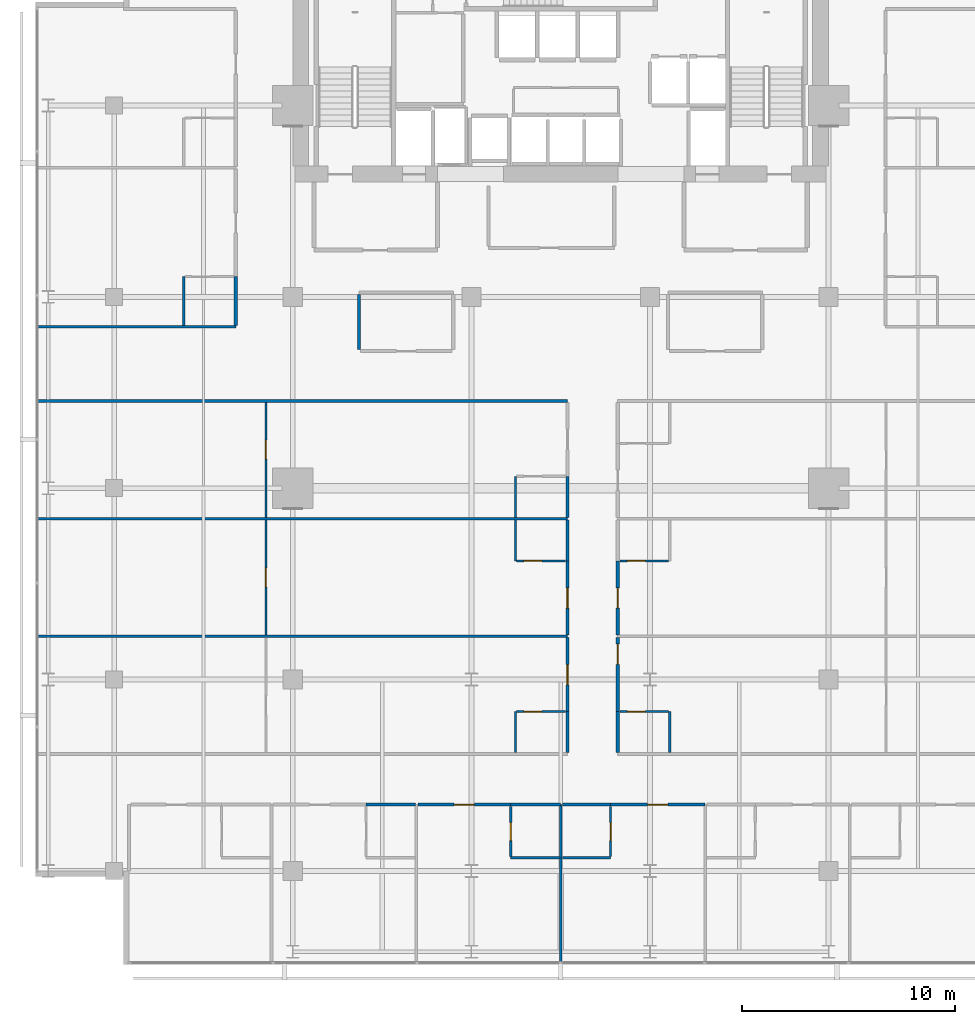
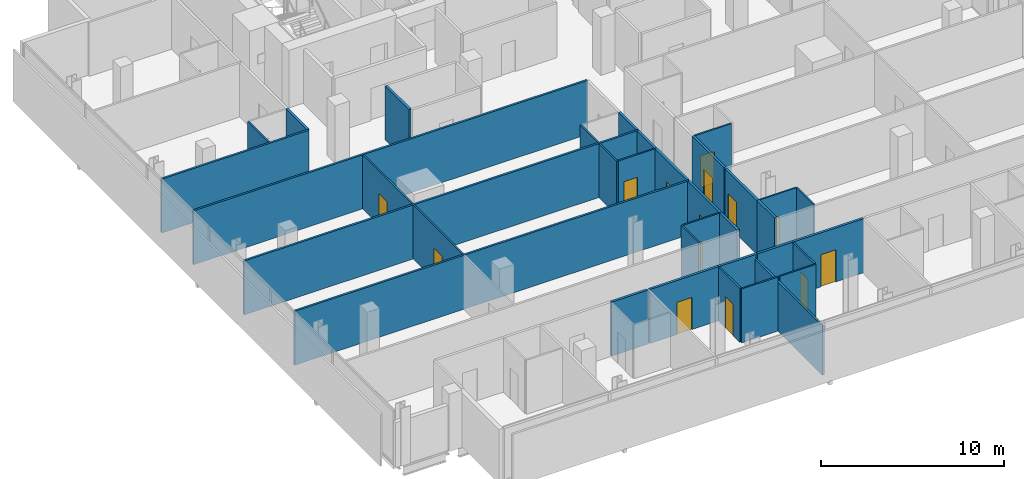
# One storey, part 27 of 33: 35 walls, 14 doors, 14 openings.
"""IFC4 building model written with IfcOpenShell, lengths in metres."""

from ifc_helpers import new_model, si_unit, direction, frame, frame_2d, origin, place, context, subcontext, project, spatial, rectangle, extrude, material, layer, layer_set, type_object, element, fill, save


model = new_model("IFC4")

# Units and contexts
model_context = context("Model", 3, precision=1e-05, world=origin(), true_north=direction((0.0, 1.0)))
body_context = subcontext(model_context, "Body", "Model", "MODEL_VIEW")
ifc_project = project(units=[si_unit("LENGTHUNIT", "METRE"), si_unit("AREAUNIT", "SQUARE_METRE"), si_unit("VOLUMEUNIT", "CUBIC_METRE"), si_unit("PLANEANGLEUNIT", "RADIAN"), si_unit("MASSUNIT", "GRAM", prefix="KILO")], contexts=[model_context])

# Site, building, storey
site_placement = place(None, origin())
site = spatial("IfcSite", under=ifc_project, at=site_placement, CompositionType="ELEMENT")
building_placement = place(site_placement, origin())
building = spatial("IfcBuilding", under=site, at=building_placement, Name="Maruvema Waterfront Hotel and Observation Tower", CompositionType="ELEMENT")
storey_placement = place(building_placement, frame((0.0, 0.0, 150.5)))
storey = spatial("IfcBuildingStorey", under=building, at=storey_placement, Name="L36", CompositionType="ELEMENT", Elevation=150.5)

# Walls
ifc_material_1 = material(Name="Twin-stud acoustic gypsum drywall", Category="gypsum")
ifc_layer_1 = layer(ifc_material_1, 0.14990234375, Name="Acoustic Corridor and Suite Demising Wall 150 mm")
ifc_layer_set_1 = layer_set([ifc_layer_1], Name="Twin-stud acoustic gypsum drywall")
wall_type_1 = type_object("IfcWallType", Name="Acoustic Corridor and Suite Demising Wall 150 mm", PredefinedType="PARTITIONING", material=ifc_layer_set_1)
wall_1_placement = place(storey_placement, frame((28.320068359375, 33.530029296875, 0.0), z_axis=(0.0, 0.0, 1.0), x_axis=(0.0, 1.0, 0.0)))
element("IfcWall", 1, at=wall_1_placement, inside=storey, type_object=wall_type_1, Name="L36 L36-M1 West Wall 022", PredefinedType="PARTITIONING", context=body_context, shape_type="SweptSolid", body=[
    extrude(rectangle(XDim=2.590087890625, YDim=0.14990234375, at=frame_2d((1.294921875, 0.0))), origin(), (0.0, 0.0, 1.0), 3.610107421875),
])
for number, where, z_axis, x_axis, name in (
    (2, (28.64990234375, 12.1201171875, 0.0), (0.0, 0.0, 1.0), (1.0, 0.0, 0.0), "L36 Bath L36-S2 Back Wall 036"),
    (3, (35.449951171875, 12.1201171875, 0.0), (0.0, 0.0, 1.0), (1.0, 0.0, 0.0), "L36 Bath L36-S3 Back Wall 041"),
):
    element("IfcWall", number, at=place(storey_placement, frame(where, z_axis=z_axis, x_axis=x_axis)), inside=storey, type_object=wall_type_1, Name=name, PredefinedType="PARTITIONING", context=body_context, shape_type="SweptSolid", body=[
        extrude(rectangle(XDim=2.330078125, YDim=0.14990234375, at=frame_2d((1.1650390625, 0.0))), origin(), (0.0, 0.0, 1.0), 3.610107421875),
    ])

# Wall, opening, door
wall_2_placement = place(storey_placement, frame((31.080078125, 12.1201171875, 0.0), z_axis=(0.0, 0.0, 1.0), x_axis=(1.0, 0.0, 0.0)))
wall_2 = element("IfcWall", 4, at=wall_2_placement, inside=storey, type_object=wall_type_1, Name="L36 Unit L36-S3 Corridor Wall 044", PredefinedType="PARTITIONING", context=body_context, shape_type="SweptSolid", body=[
    extrude(rectangle(XDim=4.369873046875, YDim=0.14990234375, at=frame_2d((2.18505859375, 0.0))), origin(), (0.0, 0.0, 1.0), 3.610107421875),
])
opening_1_placement = place(wall_2_placement, frame((1.7099609375, 0.0, 0.0)))
opening_1 = element("IfcOpeningElement", 5, at=opening_1_placement, cuts=wall_2, Name="Opening DR-095", PredefinedType="OPENING", context=body_context, shape_type="SweptSolid", body=[
    extrude(rectangle(XDim=0.949951171875, YDim=2.14990234375, at=frame_2d((0.47509765625, 1.074951171875))), frame((0.0, 0.0849609375, 0.0), z_axis=(0.0, -1.0, 0.0), x_axis=(1.0, 0.0, 0.0)), (0.0, 0.0, 1.0), 0.169921875),
])
ifc_material_2 = material(Name="Acoustic solid-core hardwood timber leaf", Category="wood")
door_type_1 = type_object("IfcDoorType", Name="Guestroom Entrance Fire Door 950x2150 mm", OperationType="NOTDEFINED", PredefinedType="DOOR", material=ifc_material_2)
door_1_placement = place(opening_1_placement, frame((0.949951171875, 0.0, 0.0), z_axis=(0.0, 0.0, 1.0), x_axis=(-1.0, 0.0, 0.0)))
door_1 = element("IfcDoor", 6, at=door_1_placement, inside=storey, type_object=door_type_1, Name="L36 Unit L36-S3 Entrance Door", OperationType="SINGLE_SWING_RIGHT", OverallHeight=2.14990234375, OverallWidth=0.949951171875, PredefinedType="DOOR", context=body_context, shape_type="SweptSolid", body=[
    extrude(rectangle(XDim=0.949951171875, YDim=2.14990234375, at=frame_2d((0.47509765625, 1.074951171875))), frame((0.0, 0.02490234375, 0.0), z_axis=(0.0, -1.0, 0.0), x_axis=(1.0, 0.0, 0.0)), (0.0, 0.0, 1.0), 0.050048828125),
])
fill(opening_1, door_1)

# Wall
wall_3_placement = place(storey_placement, frame((37.8798828125, 12.1201171875, 0.0), z_axis=(0.0, 0.0, 1.0), x_axis=(1.0, 0.0, 0.0)))
element("IfcWall", 7, at=wall_3_placement, inside=storey, type_object=wall_type_1, Name="L36 Bath L36-S4 Back Wall 046", PredefinedType="PARTITIONING", context=body_context, shape_type="SweptSolid", body=[
    extrude(rectangle(XDim=2.27001953125, YDim=0.14990234375, at=frame_2d((1.135009765625, 0.0))), origin(), (0.0, 0.0, 1.0), 3.610107421875),
])

# Wall, opening, door
wall_4_placement = place(storey_placement, frame((40.14990234375, 12.1201171875, 0.0), z_axis=(0.0, 0.0, 1.0), x_axis=(1.0, 0.0, 0.0)))
wall_4 = element("IfcWall", 8, at=wall_4_placement, inside=storey, type_object=wall_type_1, Name="L36 Unit L36-S4 Corridor Wall 049", PredefinedType="PARTITIONING", context=body_context, shape_type="SweptSolid", body=[
    extrude(rectangle(XDim=4.43017578125, YDim=0.14990234375, at=frame_2d((2.215087890625, 0.0))), origin(), (0.0, 0.0, 1.0), 3.610107421875),
])
opening_2_placement = place(wall_4_placement, frame((1.739990234375, 0.0, 0.0)))
opening_2 = element("IfcOpeningElement", 9, at=opening_2_placement, cuts=wall_4, Name="Opening DR-095", PredefinedType="OPENING", context=body_context, shape_type="SweptSolid", body=[
    extrude(rectangle(XDim=0.949951171875, YDim=2.14990234375, at=frame_2d((0.47509765625, 1.074951171875))), frame((0.0, 0.0849609375, 0.0), z_axis=(0.0, -1.0, 0.0), x_axis=(1.0, 0.0, 0.0)), (0.0, 0.0, 1.0), 0.169921875),
])
door_2_placement = place(opening_2_placement, frame((0.949951171875, 0.0, 0.0), z_axis=(0.0, 0.0, 1.0), x_axis=(-1.0, 0.0, 0.0)))
door_2 = element("IfcDoor", 10, at=door_2_placement, inside=storey, type_object=door_type_1, Name="L36 Unit L36-S4 Entrance Door", OperationType="SINGLE_SWING_RIGHT", OverallHeight=2.14990234375, OverallWidth=0.949951171875, PredefinedType="DOOR", context=body_context, shape_type="SweptSolid", body=[
    extrude(rectangle(XDim=0.949951171875, YDim=2.14990234375, at=frame_2d((0.47509765625, 1.074951171875))), frame((0.0, 0.02490234375, 0.0), z_axis=(0.0, -1.0, 0.0), x_axis=(1.0, 0.0, 0.0)), (0.0, 0.0, 1.0), 0.050048828125),
])
fill(opening_2, door_2)

# Wall
wall_5_placement = place(storey_placement, frame((38.1201171875, 14.56005859375, 0.0), z_axis=(0.0, 0.0, 1.0), x_axis=(0.0, 1.0, 0.0)))
element("IfcWall", 11, at=wall_5_placement, inside=storey, type_object=wall_type_1, Name="L36 Bath L36-W1 Wall 064", PredefinedType="PARTITIONING", context=body_context, shape_type="SweptSolid", body=[
    extrude(rectangle(XDim=1.929931640625, YDim=0.14990234375, at=frame_2d((0.96484375, 0.0))), origin(), (0.0, 0.0, 1.0), 3.610107421875),
])

# Wall, opening, door
wall_6_placement = place(storey_placement, frame((38.1201171875, 16.489990234375, 0.0), z_axis=(0.0, 0.0, 1.0), x_axis=(0.0, 1.0, 0.0)))
wall_6 = element("IfcWall", 12, at=wall_6_placement, inside=storey, type_object=wall_type_1, Name="L36 Room L36-W1 Corridor Wall 065", PredefinedType="PARTITIONING", context=body_context, shape_type="SweptSolid", body=[
    extrude(rectangle(XDim=3.47998046875, YDim=0.14990234375, at=frame_2d((1.739990234375, 0.0))), origin(), (0.0, 0.0, 1.0), 3.610107421875),
])
opening_3_placement = place(wall_6_placement, frame((1.264892578125, 0.0, 0.0)))
opening_3 = element("IfcOpeningElement", 13, at=opening_3_placement, cuts=wall_6, Name="Opening DR-095", PredefinedType="OPENING", context=body_context, shape_type="SweptSolid", body=[
    extrude(rectangle(XDim=0.949951171875, YDim=2.14990234375, at=frame_2d((0.47509765625, 1.074951171875))), frame((0.0, 0.0849609375, 0.0), z_axis=(0.0, -1.0, 0.0), x_axis=(1.0, 0.0, 0.0)), (0.0, 0.0, 1.0), 0.169921875),
])
door_3_placement = place(opening_3_placement, origin())
door_3 = element("IfcDoor", 14, at=door_3_placement, inside=storey, type_object=door_type_1, Name="L36 Room L36-W1 Entrance Door", OperationType="SINGLE_SWING_RIGHT", OverallHeight=2.14990234375, OverallWidth=0.949951171875, PredefinedType="DOOR", context=body_context, shape_type="SweptSolid", body=[
    extrude(rectangle(XDim=0.949951171875, YDim=2.14990234375, at=frame_2d((0.47509765625, 1.074951171875))), frame((0.0, 0.02490234375, 0.0), z_axis=(0.0, -1.0, 0.0), x_axis=(1.0, 0.0, 0.0)), (0.0, 0.0, 1.0), 0.050048828125),
])
fill(opening_3, door_3)

# Wall
wall_7_placement = place(storey_placement, frame((40.47998046875, 14.56005859375, 0.0), z_axis=(0.0, 0.0, 1.0), x_axis=(0.0, 1.0, 0.0)))
element("IfcWall", 15, at=wall_7_placement, inside=storey, type_object=wall_type_1, Name="L36 Bath L36-E1 Wall 069", PredefinedType="PARTITIONING", context=body_context, shape_type="SweptSolid", body=[
    extrude(rectangle(XDim=1.929931640625, YDim=0.14990234375, at=frame_2d((0.96484375, 0.0))), origin(), (0.0, 0.0, 1.0), 3.610107421875),
])

# Wall, opening, door
wall_8_placement = place(storey_placement, frame((40.47998046875, 16.489990234375, 0.0), z_axis=(0.0, 0.0, 1.0), x_axis=(0.0, 1.0, 0.0)))
wall_8 = element("IfcWall", 16, at=wall_8_placement, inside=storey, type_object=wall_type_1, Name="L36 Room L36-E1 Corridor Wall 070", PredefinedType="PARTITIONING", context=body_context, shape_type="SweptSolid", body=[
    extrude(rectangle(XDim=3.47998046875, YDim=0.14990234375, at=frame_2d((1.739990234375, 0.0))), origin(), (0.0, 0.0, 1.0), 3.610107421875),
])
opening_4_placement = place(wall_8_placement, frame((2.22509765625, 0.0, 0.0)))
opening_4 = element("IfcOpeningElement", 17, at=opening_4_placement, cuts=wall_8, Name="Opening DR-095", PredefinedType="OPENING", context=body_context, shape_type="SweptSolid", body=[
    extrude(rectangle(XDim=0.949951171875, YDim=2.14990234375, at=frame_2d((0.47509765625, 1.074951171875))), frame((0.0, 0.0849609375, 0.0), z_axis=(0.0, -1.0, 0.0), x_axis=(1.0, 0.0, 0.0)), (0.0, 0.0, 1.0), 0.169921875),
])
door_4_placement = place(opening_4_placement, frame((0.949951171875, 0.0, 0.0), z_axis=(0.0, 0.0, 1.0), x_axis=(-1.0, 0.0, 0.0)))
door_4 = element("IfcDoor", 18, at=door_4_placement, inside=storey, type_object=door_type_1, Name="L36 Room L36-E1 Entrance Door", OperationType="SINGLE_SWING_LEFT", OverallHeight=2.14990234375, OverallWidth=0.949951171875, PredefinedType="DOOR", context=body_context, shape_type="SweptSolid", body=[
    extrude(rectangle(XDim=0.949951171875, YDim=2.14990234375, at=frame_2d((0.47509765625, 1.074951171875))), frame((0.0, 0.02490234375, 0.0), z_axis=(0.0, -1.0, 0.0), x_axis=(1.0, 0.0, 0.0)), (0.0, 0.0, 1.0), 0.050048828125),
])
fill(opening_4, door_4)

wall_9_placement = place(storey_placement, frame((38.1201171875, 20.090087890625, 0.0), z_axis=(0.0, 0.0, 1.0), x_axis=(0.0, 1.0, 0.0)))
wall_9 = element("IfcWall", 19, at=wall_9_placement, inside=storey, type_object=wall_type_1, Name="L36 Room L36-W2 Corridor Wall 076", PredefinedType="PARTITIONING", context=body_context, shape_type="SweptSolid", body=[
    extrude(rectangle(XDim=3.489990234375, YDim=0.14990234375, at=frame_2d((1.7451171875, 0.0))), origin(), (0.0, 0.0, 1.0), 3.610107421875),
])
opening_5_placement = place(wall_9_placement, frame((1.27001953125, 0.0, 0.0)))
opening_5 = element("IfcOpeningElement", 20, at=opening_5_placement, cuts=wall_9, Name="Opening DR-095", PredefinedType="OPENING", context=body_context, shape_type="SweptSolid", body=[
    extrude(rectangle(XDim=0.949951171875, YDim=2.14990234375, at=frame_2d((0.47509765625, 1.074951171875))), frame((0.0, 0.0849609375, 0.0), z_axis=(0.0, -1.0, 0.0), x_axis=(1.0, 0.0, 0.0)), (0.0, 0.0, 1.0), 0.169921875),
])
door_5_placement = place(opening_5_placement, origin())
door_5 = element("IfcDoor", 21, at=door_5_placement, inside=storey, type_object=door_type_1, Name="L36 Room L36-W2 Entrance Door", OperationType="SINGLE_SWING_RIGHT", OverallHeight=2.14990234375, OverallWidth=0.949951171875, PredefinedType="DOOR", context=body_context, shape_type="SweptSolid", body=[
    extrude(rectangle(XDim=0.949951171875, YDim=2.14990234375, at=frame_2d((0.47509765625, 1.074951171875))), frame((0.0, 0.02490234375, 0.0), z_axis=(0.0, -1.0, 0.0), x_axis=(1.0, 0.0, 0.0)), (0.0, 0.0, 1.0), 0.050048828125),
])
fill(opening_5, door_5)

# Wall
wall_10_placement = place(storey_placement, frame((38.1201171875, 23.580078125, 0.0), z_axis=(0.0, 0.0, 1.0), x_axis=(0.0, 1.0, 0.0)))
element("IfcWall", 22, at=wall_10_placement, inside=storey, type_object=wall_type_1, Name="L36 Bath L36-W2 Wall 077", PredefinedType="PARTITIONING", context=body_context, shape_type="SweptSolid", body=[
    extrude(rectangle(XDim=1.929931640625, YDim=0.14990234375, at=frame_2d((0.96484375, 0.0))), origin(), (0.0, 0.0, 1.0), 3.610107421875),
])

# Wall, opening, door
wall_11_placement = place(storey_placement, frame((40.47998046875, 20.090087890625, 0.0), z_axis=(0.0, 0.0, 1.0), x_axis=(0.0, 1.0, 0.0)))
wall_11 = element("IfcWall", 23, at=wall_11_placement, inside=storey, type_object=wall_type_1, Name="L36 Room L36-E2 Corridor Wall 081", PredefinedType="PARTITIONING", context=body_context, shape_type="SweptSolid", body=[
    extrude(rectangle(XDim=3.489990234375, YDim=0.14990234375, at=frame_2d((1.7451171875, 0.0))), origin(), (0.0, 0.0, 1.0), 3.610107421875),
])
opening_6_placement = place(wall_11_placement, frame((1.27001953125, 0.0, 0.0)))
opening_6 = element("IfcOpeningElement", 24, at=opening_6_placement, cuts=wall_11, Name="Opening DR-095", PredefinedType="OPENING", context=body_context, shape_type="SweptSolid", body=[
    extrude(rectangle(XDim=0.949951171875, YDim=2.14990234375, at=frame_2d((0.47509765625, 1.074951171875))), frame((0.0, 0.0849609375, 0.0), z_axis=(0.0, -1.0, 0.0), x_axis=(1.0, 0.0, 0.0)), (0.0, 0.0, 1.0), 0.169921875),
])
door_6_placement = place(opening_6_placement, frame((0.949951171875, 0.0, 0.0), z_axis=(0.0, 0.0, 1.0), x_axis=(-1.0, 0.0, 0.0)))
door_6 = element("IfcDoor", 25, at=door_6_placement, inside=storey, type_object=door_type_1, Name="L36 Room L36-E2 Entrance Door", OperationType="SINGLE_SWING_LEFT", OverallHeight=2.14990234375, OverallWidth=0.949951171875, PredefinedType="DOOR", context=body_context, shape_type="SweptSolid", body=[
    extrude(rectangle(XDim=0.949951171875, YDim=2.14990234375, at=frame_2d((0.47509765625, 1.074951171875))), frame((0.0, 0.02490234375, 0.0), z_axis=(0.0, -1.0, 0.0), x_axis=(1.0, 0.0, 0.0)), (0.0, 0.0, 1.0), 0.050048828125),
])
fill(opening_6, door_6)

# Walls
wall_12_placement = place(storey_placement, frame((38.1201171875, 25.6298828125, 0.0), z_axis=(0.0, 0.0, 1.0), x_axis=(0.0, 1.0, 0.0)))
element("IfcWall", 26, at=wall_12_placement, inside=storey, type_object=wall_type_1, Name="L36 Bath L36-W3 Wall 088", PredefinedType="PARTITIONING", context=body_context, shape_type="SweptSolid", body=[
    extrude(rectangle(XDim=1.93017578125, YDim=0.14990234375, at=frame_2d((0.965087890625, 0.0))), origin(), (0.0, 0.0, 1.0), 3.610107421875),
])
wall_13_placement = place(storey_placement, frame((22.52001953125, 34.659912109375, 0.0), z_axis=(0.0, 0.0, 1.0), x_axis=(0.0, 1.0, 0.0)))
element("IfcWall", 27, at=wall_13_placement, inside=storey, type_object=wall_type_1, Name="L36 Bath L36-NW1 Wall 102", PredefinedType="PARTITIONING", context=body_context, shape_type="SweptSolid", body=[
    extrude(rectangle(XDim=2.2900390625, YDim=0.14990234375, at=frame_2d((1.14501953125, 0.0))), origin(), (0.0, 0.0, 1.0), 3.610107421875),
])
ifc_material_3 = material(Name="Moisture-resistant cement-board drywall", Category="gypsum")
ifc_layer_2 = layer(ifc_material_3, 0.10009765625, Name="En-Suite Moisture-Resistant Partition 100 mm")
ifc_layer_set_2 = layer_set([ifc_layer_2], Name="Moisture-resistant cement-board drywall")
wall_type_2 = type_object("IfcWallType", Name="En-Suite Moisture-Resistant Partition 100 mm", PredefinedType="PARTITIONING", material=ifc_layer_set_2)
wall_14_placement = place(storey_placement, frame((35.449951171875, 9.6201171875, 0.0), z_axis=(0.0, 0.0, 1.0), x_axis=(1.0, 0.0, 0.0)))
element("IfcWall", 28, at=wall_14_placement, inside=storey, type_object=wall_type_2, Name="L36 En-Suite L36-S3 South 042", PredefinedType="PARTITIONING", context=body_context, shape_type="SweptSolid", body=[
    extrude(rectangle(XDim=2.31005859375, YDim=0.10009765625, at=frame_2d((1.155029296875, 0.0))), origin(), (0.0, 0.0, 1.0), 3.610107421875),
])

# Wall, opening, door
wall_15_placement = place(storey_placement, frame((35.449951171875, 9.679931640625, 0.0), z_axis=(0.0, 0.0, 1.0), x_axis=(0.0, 1.0, 0.0)))
wall_15 = element("IfcWall", 29, at=wall_15_placement, inside=storey, type_object=wall_type_2, Name="L36 En-Suite L36-S3 West 043", PredefinedType="PARTITIONING", context=body_context, shape_type="SweptSolid", body=[
    extrude(rectangle(XDim=2.340087890625, YDim=0.10009765625, at=frame_2d((1.169921875, 0.0))), origin(), (0.0, 0.0, 1.0), 3.610107421875),
])
opening_7_placement = place(wall_15_placement, frame((0.7451171875, 0.0, 0.0)))
opening_7 = element("IfcOpeningElement", 30, at=opening_7_placement, cuts=wall_15, Name="Opening DR-085", PredefinedType="OPENING", context=body_context, shape_type="SweptSolid", body=[
    extrude(rectangle(XDim=0.85009765625, YDim=2.10009765625, at=frame_2d((0.425048828125, 1.050048828125))), frame((0.0, 0.06005859375, 0.0), z_axis=(0.0, -1.0, 0.0), x_axis=(1.0, 0.0, 0.0)), (0.0, 0.0, 1.0), 0.1201171875),
])
ifc_material_4 = material(Name="Moisture-resistant solid timber leaf", Category="wood")
door_type_2 = type_object("IfcDoorType", Name="En-Suite Bathroom Door 850x2100 mm", OperationType="NOTDEFINED", PredefinedType="DOOR", material=ifc_material_4)
door_7_placement = place(opening_7_placement, origin())
door_7 = element("IfcDoor", 31, at=door_7_placement, inside=storey, type_object=door_type_2, Name="L36 En-Suite L36-S3 Door", OperationType="SINGLE_SWING_LEFT", OverallHeight=2.10009765625, OverallWidth=0.85009765625, PredefinedType="DOOR", context=body_context, shape_type="SweptSolid", body=[
    extrude(rectangle(XDim=0.85009765625, YDim=2.10009765625, at=frame_2d((0.425048828125, 1.050048828125))), frame((0.0, 0.02490234375, 0.0), z_axis=(0.0, -1.0, 0.0), x_axis=(1.0, 0.0, 0.0)), (0.0, 0.0, 1.0), 0.050048828125),
])
fill(opening_7, door_7)

# Wall
wall_16_placement = place(storey_placement, frame((37.8798828125, 9.6201171875, 0.0), z_axis=(0.0, 0.0, 1.0), x_axis=(1.0, 0.0, 0.0)))
element("IfcWall", 32, at=wall_16_placement, inside=storey, type_object=wall_type_2, Name="L36 En-Suite L36-S4 South 047", PredefinedType="PARTITIONING", context=body_context, shape_type="SweptSolid", body=[
    extrude(rectangle(XDim=2.27001953125, YDim=0.10009765625, at=frame_2d((1.135009765625, 0.0))), origin(), (0.0, 0.0, 1.0), 3.610107421875),
])

# Wall, opening, door
wall_17_placement = place(storey_placement, frame((40.14990234375, 9.679931640625, 0.0), z_axis=(0.0, 0.0, 1.0), x_axis=(0.0, 1.0, 0.0)))
wall_17 = element("IfcWall", 33, at=wall_17_placement, inside=storey, type_object=wall_type_2, Name="L36 En-Suite L36-S4 East 048", PredefinedType="PARTITIONING", context=body_context, shape_type="SweptSolid", body=[
    extrude(rectangle(XDim=2.340087890625, YDim=0.10009765625, at=frame_2d((1.169921875, 0.0))), origin(), (0.0, 0.0, 1.0), 3.610107421875),
])
opening_8_placement = place(wall_17_placement, frame((0.7451171875, 0.0, 0.0)))
opening_8 = element("IfcOpeningElement", 34, at=opening_8_placement, cuts=wall_17, Name="Opening DR-085", PredefinedType="OPENING", context=body_context, shape_type="SweptSolid", body=[
    extrude(rectangle(XDim=0.85009765625, YDim=2.10009765625, at=frame_2d((0.425048828125, 1.050048828125))), frame((0.0, 0.06005859375, 0.0), z_axis=(0.0, -1.0, 0.0), x_axis=(1.0, 0.0, 0.0)), (0.0, 0.0, 1.0), 0.1201171875),
])
door_8_placement = place(opening_8_placement, frame((0.85009765625, 0.0, 0.0), z_axis=(0.0, 0.0, 1.0), x_axis=(-1.0, 0.0, 0.0)))
door_8 = element("IfcDoor", 35, at=door_8_placement, inside=storey, type_object=door_type_2, Name="L36 En-Suite L36-S4 Door", OperationType="SINGLE_SWING_LEFT", OverallHeight=2.10009765625, OverallWidth=0.85009765625, PredefinedType="DOOR", context=body_context, shape_type="SweptSolid", body=[
    extrude(rectangle(XDim=0.85009765625, YDim=2.10009765625, at=frame_2d((0.425048828125, 1.050048828125))), frame((0.0, 0.02490234375, 0.0), z_axis=(0.0, -1.0, 0.0), x_axis=(1.0, 0.0, 0.0)), (0.0, 0.0, 1.0), 0.050048828125),
])
fill(opening_8, door_8)

# Wall
wall_18_placement = place(storey_placement, frame((35.669921875, 14.56005859375, 0.0), z_axis=(0.0, 0.0, 1.0), x_axis=(0.0, 1.0, 0.0)))
element("IfcWall", 36, at=wall_18_placement, inside=storey, type_object=wall_type_2, Name="L36 En-Suite L36-W1 W 066", PredefinedType="PARTITIONING", context=body_context, shape_type="SweptSolid", body=[
    extrude(rectangle(XDim=1.929931640625, YDim=0.10009765625, at=frame_2d((0.96484375, 0.0))), origin(), (0.0, 0.0, 1.0), 3.610107421875),
])

# Wall, opening, door
wall_19_placement = place(storey_placement, frame((35.719970703125, 16.489990234375, 0.0), z_axis=(0.0, 0.0, 1.0), x_axis=(1.0, 0.0, 0.0)))
wall_19 = element("IfcWall", 37, at=wall_19_placement, inside=storey, type_object=wall_type_2, Name="L36 En-Suite L36-W1 N 067", PredefinedType="PARTITIONING", context=body_context, shape_type="SweptSolid", body=[
    extrude(rectangle(XDim=2.300048828125, YDim=0.10009765625, at=frame_2d((1.14990234375, 0.0))), origin(), (0.0, 0.0, 1.0), 3.610107421875),
])
opening_9_placement = place(wall_19_placement, frame((0.35009765625, 0.0, 0.0)))
opening_9 = element("IfcOpeningElement", 38, at=opening_9_placement, cuts=wall_19, Name="Opening DR-085", PredefinedType="OPENING", context=body_context, shape_type="SweptSolid", body=[
    extrude(rectangle(XDim=0.85009765625, YDim=2.10009765625, at=frame_2d((0.425048828125, 1.050048828125))), frame((0.0, 0.06005859375, 0.0), z_axis=(0.0, -1.0, 0.0), x_axis=(1.0, 0.0, 0.0)), (0.0, 0.0, 1.0), 0.1201171875),
])
door_9_placement = place(opening_9_placement, origin())
door_9 = element("IfcDoor", 39, at=door_9_placement, inside=storey, type_object=door_type_2, Name="L36 En-Suite L36-W1 Door", OperationType="SINGLE_SWING_LEFT", OverallHeight=2.10009765625, OverallWidth=0.85009765625, PredefinedType="DOOR", context=body_context, shape_type="SweptSolid", body=[
    extrude(rectangle(XDim=0.85009765625, YDim=2.10009765625, at=frame_2d((0.425048828125, 1.050048828125))), frame((0.0, 0.02490234375, 0.0), z_axis=(0.0, -1.0, 0.0), x_axis=(1.0, 0.0, 0.0)), (0.0, 0.0, 1.0), 0.050048828125),
])
fill(opening_9, door_9)

# Wall
wall_20_placement = place(storey_placement, frame((42.929931640625, 14.56005859375, 0.0), z_axis=(0.0, 0.0, 1.0), x_axis=(0.0, 1.0, 0.0)))
element("IfcWall", 40, at=wall_20_placement, inside=storey, type_object=wall_type_2, Name="L36 En-Suite L36-E1 E 071", PredefinedType="PARTITIONING", context=body_context, shape_type="SweptSolid", body=[
    extrude(rectangle(XDim=1.929931640625, YDim=0.10009765625, at=frame_2d((0.96484375, 0.0))), origin(), (0.0, 0.0, 1.0), 3.610107421875),
])

# Wall, opening, door
wall_21_placement = place(storey_placement, frame((40.580078125, 16.489990234375, 0.0), z_axis=(0.0, 0.0, 1.0), x_axis=(1.0, 0.0, 0.0)))
wall_21 = element("IfcWall", 41, at=wall_21_placement, inside=storey, type_object=wall_type_2, Name="L36 En-Suite L36-E1 N 072", PredefinedType="PARTITIONING", context=body_context, shape_type="SweptSolid", body=[
    extrude(rectangle(XDim=2.2998046875, YDim=0.10009765625, at=frame_2d((1.14990234375, 0.0))), origin(), (0.0, 0.0, 1.0), 3.610107421875),
])
opening_10_placement = place(wall_21_placement, frame((0.35009765625, 0.0, 0.0)))
opening_10 = element("IfcOpeningElement", 42, at=opening_10_placement, cuts=wall_21, Name="Opening DR-085", PredefinedType="OPENING", context=body_context, shape_type="SweptSolid", body=[
    extrude(rectangle(XDim=0.85009765625, YDim=2.10009765625, at=frame_2d((0.425048828125, 1.050048828125))), frame((0.0, 0.06005859375, 0.0), z_axis=(0.0, -1.0, 0.0), x_axis=(1.0, 0.0, 0.0)), (0.0, 0.0, 1.0), 0.1201171875),
])
door_10_placement = place(opening_10_placement, origin())
door_10 = element("IfcDoor", 43, at=door_10_placement, inside=storey, type_object=door_type_2, Name="L36 En-Suite L36-E1 Door", OperationType="SINGLE_SWING_RIGHT", OverallHeight=2.10009765625, OverallWidth=0.85009765625, PredefinedType="DOOR", context=body_context, shape_type="SweptSolid", body=[
    extrude(rectangle(XDim=0.85009765625, YDim=2.10009765625, at=frame_2d((0.425048828125, 1.050048828125))), frame((0.0, 0.02490234375, 0.0), z_axis=(0.0, -1.0, 0.0), x_axis=(1.0, 0.0, 0.0)), (0.0, 0.0, 1.0), 0.050048828125),
])
fill(opening_10, door_10)

# Wall
wall_22_placement = place(storey_placement, frame((35.669921875, 23.580078125, 0.0), z_axis=(0.0, 0.0, 1.0), x_axis=(0.0, 1.0, 0.0)))
element("IfcWall", 44, at=wall_22_placement, inside=storey, type_object=wall_type_2, Name="L36 En-Suite L36-W2 W 078", PredefinedType="PARTITIONING", context=body_context, shape_type="SweptSolid", body=[
    extrude(rectangle(XDim=1.929931640625, YDim=0.10009765625, at=frame_2d((0.96484375, 0.0))), origin(), (0.0, 0.0, 1.0), 3.610107421875),
])

# Wall, opening, door
wall_23_placement = place(storey_placement, frame((35.719970703125, 23.580078125, 0.0), z_axis=(0.0, 0.0, 1.0), x_axis=(1.0, 0.0, 0.0)))
wall_23 = element("IfcWall", 45, at=wall_23_placement, inside=storey, type_object=wall_type_2, Name="L36 En-Suite L36-W2 S 079", PredefinedType="PARTITIONING", context=body_context, shape_type="SweptSolid", body=[
    extrude(rectangle(XDim=2.300048828125, YDim=0.10009765625, at=frame_2d((1.14990234375, 0.0))), origin(), (0.0, 0.0, 1.0), 3.610107421875),
])
opening_11_placement = place(wall_23_placement, frame((0.35009765625, 0.0, 0.0)))
opening_11 = element("IfcOpeningElement", 46, at=opening_11_placement, cuts=wall_23, Name="Opening DR-085", PredefinedType="OPENING", context=body_context, shape_type="SweptSolid", body=[
    extrude(rectangle(XDim=0.85009765625, YDim=2.10009765625, at=frame_2d((0.425048828125, 1.050048828125))), frame((0.0, 0.06005859375, 0.0), z_axis=(0.0, -1.0, 0.0), x_axis=(1.0, 0.0, 0.0)), (0.0, 0.0, 1.0), 0.1201171875),
])
door_11_placement = place(opening_11_placement, frame((0.85009765625, 0.0, 0.0), z_axis=(0.0, 0.0, 1.0), x_axis=(-1.0, 0.0, 0.0)))
door_11 = element("IfcDoor", 47, at=door_11_placement, inside=storey, type_object=door_type_2, Name="L36 En-Suite L36-W2 Door", OperationType="SINGLE_SWING_LEFT", OverallHeight=2.10009765625, OverallWidth=0.85009765625, PredefinedType="DOOR", context=body_context, shape_type="SweptSolid", body=[
    extrude(rectangle(XDim=0.85009765625, YDim=2.10009765625, at=frame_2d((0.425048828125, 1.050048828125))), frame((0.0, 0.02490234375, 0.0), z_axis=(0.0, -1.0, 0.0), x_axis=(1.0, 0.0, 0.0)), (0.0, 0.0, 1.0), 0.050048828125),
])
fill(opening_11, door_11)

wall_24_placement = place(storey_placement, frame((23.93359375, 20.090087890625, 0.0), z_axis=(0.0, 0.0, 1.0), x_axis=(0.0, 1.0, 0.0)))
wall_24 = element("IfcWall", 48, at=wall_24_placement, inside=storey, type_object=wall_type_2, Name="L36 Suite L36-W2 Split 080", PredefinedType="PARTITIONING", context=body_context, shape_type="SweptSolid", body=[
    extrude(rectangle(XDim=5.419921875, YDim=0.10009765625, at=frame_2d((2.7099609375, 0.0))), origin(), (0.0, 0.0, 1.0), 3.610107421875),
])
opening_12_placement = place(wall_24_placement, frame((2.260009765625, 0.0, 0.0)))
opening_12 = element("IfcOpeningElement", 49, at=opening_12_placement, cuts=wall_24, Name="Opening DR-090", PredefinedType="OPENING", context=body_context, shape_type="SweptSolid", body=[
    extrude(rectangle(XDim=0.89990234375, YDim=2.10009765625, at=frame_2d((0.449951171875, 1.050048828125))), frame((0.0, 0.06005859375, 0.0), z_axis=(0.0, -1.0, 0.0), x_axis=(1.0, 0.0, 0.0)), (0.0, 0.0, 1.0), 0.1201171875),
])
ifc_material_5 = material(Name="Solid-core lacquered timber leaf", Category="wood")
door_type_3 = type_object("IfcDoorType", Name="Accessible Toilet and Room Door 900x2100 mm", OperationType="NOTDEFINED", PredefinedType="DOOR", material=ifc_material_5)
door_12_placement = place(opening_12_placement, origin())
door_12 = element("IfcDoor", 50, at=door_12_placement, inside=storey, type_object=door_type_3, Name="L36 Suite L36-W2 Bedroom Door", OperationType="SINGLE_SWING_LEFT", OverallHeight=2.10009765625, OverallWidth=0.89990234375, PredefinedType="DOOR", context=body_context, shape_type="SweptSolid", body=[
    extrude(rectangle(XDim=0.89990234375, YDim=2.10009765625, at=frame_2d((0.449951171875, 1.050048828125))), frame((0.0, 0.02490234375, 0.0), z_axis=(0.0, -1.0, 0.0), x_axis=(1.0, 0.0, 0.0)), (0.0, 0.0, 1.0), 0.050048828125),
])
fill(opening_12, door_12)

wall_25_placement = place(storey_placement, frame((40.580078125, 23.580078125, 0.0), z_axis=(0.0, 0.0, 1.0), x_axis=(1.0, 0.0, 0.0)))
wall_25 = element("IfcWall", 51, at=wall_25_placement, inside=storey, type_object=wall_type_2, Name="L36 En-Suite L36-E2 S 084", PredefinedType="PARTITIONING", context=body_context, shape_type="SweptSolid", body=[
    extrude(rectangle(XDim=2.2998046875, YDim=0.10009765625, at=frame_2d((1.14990234375, 0.0))), origin(), (0.0, 0.0, 1.0), 3.610107421875),
])
opening_13_placement = place(wall_25_placement, frame((0.35009765625, 0.0, 0.0)))
opening_13 = element("IfcOpeningElement", 52, at=opening_13_placement, cuts=wall_25, Name="Opening DR-085", PredefinedType="OPENING", context=body_context, shape_type="SweptSolid", body=[
    extrude(rectangle(XDim=0.85009765625, YDim=2.10009765625, at=frame_2d((0.425048828125, 1.050048828125))), frame((0.0, 0.06005859375, 0.0), z_axis=(0.0, -1.0, 0.0), x_axis=(1.0, 0.0, 0.0)), (0.0, 0.0, 1.0), 0.1201171875),
])
door_13_placement = place(opening_13_placement, frame((0.85009765625, 0.0, 0.0), z_axis=(0.0, 0.0, 1.0), x_axis=(-1.0, 0.0, 0.0)))
door_13 = element("IfcDoor", 53, at=door_13_placement, inside=storey, type_object=door_type_2, Name="L36 En-Suite L36-E2 Door", OperationType="SINGLE_SWING_RIGHT", OverallHeight=2.10009765625, OverallWidth=0.85009765625, PredefinedType="DOOR", context=body_context, shape_type="SweptSolid", body=[
    extrude(rectangle(XDim=0.85009765625, YDim=2.10009765625, at=frame_2d((0.425048828125, 1.050048828125))), frame((0.0, 0.02490234375, 0.0), z_axis=(0.0, -1.0, 0.0), x_axis=(1.0, 0.0, 0.0)), (0.0, 0.0, 1.0), 0.050048828125),
])
fill(opening_13, door_13)

# Wall
wall_26_placement = place(storey_placement, frame((35.669921875, 25.6298828125, 0.0), z_axis=(0.0, 0.0, 1.0), x_axis=(0.0, 1.0, 0.0)))
element("IfcWall", 54, at=wall_26_placement, inside=storey, type_object=wall_type_2, Name="L36 En-Suite L36-W3 W 090", PredefinedType="PARTITIONING", context=body_context, shape_type="SweptSolid", body=[
    extrude(rectangle(XDim=1.93017578125, YDim=0.10009765625, at=frame_2d((0.965087890625, 0.0))), origin(), (0.0, 0.0, 1.0), 3.610107421875),
])

# Wall, opening, door
wall_27_placement = place(storey_placement, frame((23.93359375, 25.6298828125, 0.0), z_axis=(0.0, 0.0, 1.0), x_axis=(0.0, 1.0, 0.0)))
wall_27 = element("IfcWall", 55, at=wall_27_placement, inside=storey, type_object=wall_type_2, Name="L36 Suite L36-W3 Split 092", PredefinedType="PARTITIONING", context=body_context, shape_type="SweptSolid", body=[
    extrude(rectangle(XDim=5.41015625, YDim=0.10009765625, at=frame_2d((2.705078125, 0.0))), origin(), (0.0, 0.0, 1.0), 3.610107421875),
])
opening_14_placement = place(wall_27_placement, frame((2.735107421875, 0.0, 0.0)))
opening_14 = element("IfcOpeningElement", 56, at=opening_14_placement, cuts=wall_27, Name="Opening DR-090", PredefinedType="OPENING", context=body_context, shape_type="SweptSolid", body=[
    extrude(rectangle(XDim=0.89990234375, YDim=2.10009765625, at=frame_2d((0.449951171875, 1.050048828125))), frame((0.0, 0.06005859375, 0.0), z_axis=(0.0, -1.0, 0.0), x_axis=(1.0, 0.0, 0.0)), (0.0, 0.0, 1.0), 0.1201171875),
])
door_14_placement = place(opening_14_placement, origin())
door_14 = element("IfcDoor", 57, at=door_14_placement, inside=storey, type_object=door_type_3, Name="L36 Suite L36-W3 Bedroom Door", OperationType="SINGLE_SWING_LEFT", OverallHeight=2.10009765625, OverallWidth=0.89990234375, PredefinedType="DOOR", context=body_context, shape_type="SweptSolid", body=[
    extrude(rectangle(XDim=0.89990234375, YDim=2.10009765625, at=frame_2d((0.449951171875, 1.050048828125))), frame((0.0, 0.02490234375, 0.0), z_axis=(0.0, -1.0, 0.0), x_axis=(1.0, 0.0, 0.0)), (0.0, 0.0, 1.0), 0.050048828125),
])
fill(opening_14, door_14)

# Walls
wall_28_placement = place(storey_placement, frame((20.070068359375, 34.659912109375, 0.0), z_axis=(0.0, 0.0, 1.0), x_axis=(0.0, 1.0, 0.0)))
element("IfcWall", 58, at=wall_28_placement, inside=storey, type_object=wall_type_2, Name="L36 En-Suite L36-NW1 W 104", PredefinedType="PARTITIONING", context=body_context, shape_type="SweptSolid", body=[
    extrude(rectangle(XDim=2.2900390625, YDim=0.10009765625, at=frame_2d((1.14501953125, 0.0))), origin(), (0.0, 0.0, 1.0), 3.610107421875),
])
ifc_material_6 = material(Name="Acoustic gypsum plasterboard drywall", Category="gypsum")
ifc_layer_3 = layer(ifc_material_6, 0.125, Name="Guestroom Acoustic Demising Wall 125 mm")
ifc_layer_set_3 = layer_set([ifc_layer_3], Name="Acoustic gypsum plasterboard drywall")
wall_type_3 = type_object("IfcWallType", Name="Guestroom Acoustic Demising Wall 125 mm", PredefinedType="PARTITIONING", material=ifc_layer_set_3)
wall_29_placement = place(storey_placement, frame((37.800048828125, 4.699951171875, 0.0), z_axis=(0.0, 0.0, 1.0), x_axis=(0.0, 1.0, 0.0)))
element("IfcWall", 59, at=wall_29_placement, inside=storey, type_object=wall_type_3, Name="L36 Z2 S Demising 4 045", PredefinedType="PARTITIONING", context=body_context, shape_type="SweptSolid", body=[
    extrude(rectangle(XDim=7.420166015625, YDim=0.125, at=frame_2d((3.7099609375, 0.0))), origin(), (0.0, 0.0, 1.0), 3.29296875),
])
for number, where, z_axis, x_axis, name in (
    (60, (13.199951171875, 31.10009765625, 0.0), (0.0, 0.0, 1.0), (1.0, 0.0, 0.0), "L36 Z2 W Top End 062"),
    (61, (13.199951171875, 20.030029296875, 0.0), (0.0, 0.0, 1.0), (1.0, 0.0, 0.0), "L36 Z2 W Demising 2 074"),
    (62, (13.199951171875, 25.570068359375, 0.0), (0.0, 0.0, 1.0), (1.0, 0.0, 0.0), "L36 Z2 W Demising 3 086"),
):
    element("IfcWall", number, at=place(storey_placement, frame(where, z_axis=z_axis, x_axis=x_axis)), inside=storey, type_object=wall_type_3, Name=name, PredefinedType="PARTITIONING", context=body_context, shape_type="SweptSolid", body=[
        extrude(rectangle(XDim=24.920166015625, YDim=0.125, at=frame_2d((12.4599609375, 0.0))), origin(), (0.0, 0.0, 1.0), 3.610107421875),
    ])
wall_30_placement = place(storey_placement, frame((13.199951171875, 34.60009765625, 0.0), z_axis=(0.0, 0.0, 1.0), x_axis=(1.0, 0.0, 0.0)))
element("IfcWall", 63, at=wall_30_placement, inside=storey, type_object=wall_type_3, Name="L36 Z2 NW Bot End 098", PredefinedType="PARTITIONING", context=body_context, shape_type="SweptSolid", body=[
    extrude(rectangle(XDim=9.320068359375, YDim=0.125, at=frame_2d((4.66015625, 0.0))), origin(), (0.0, 0.0, 1.0), 3.610107421875),
])

save(model, "model.ifc")
